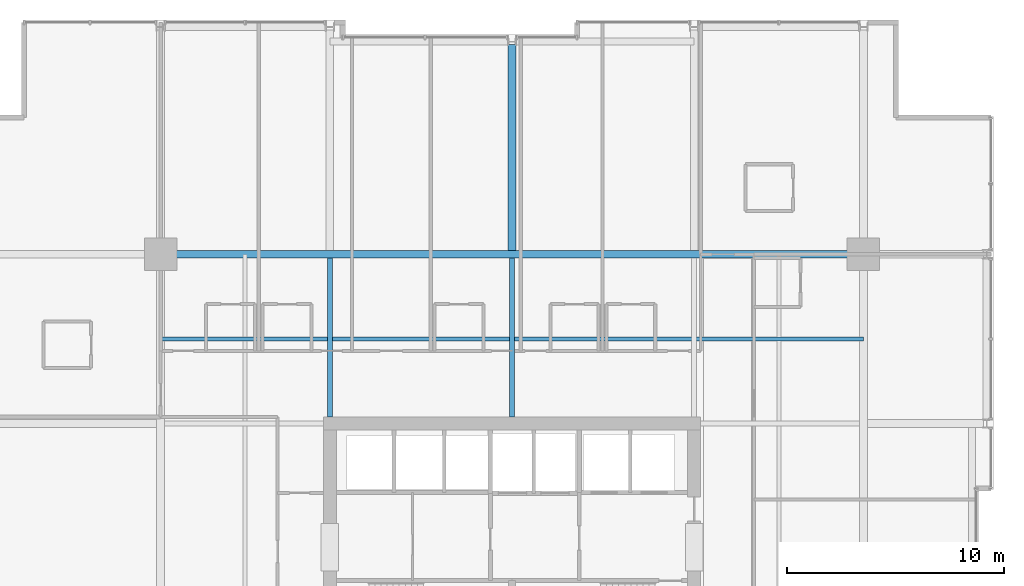
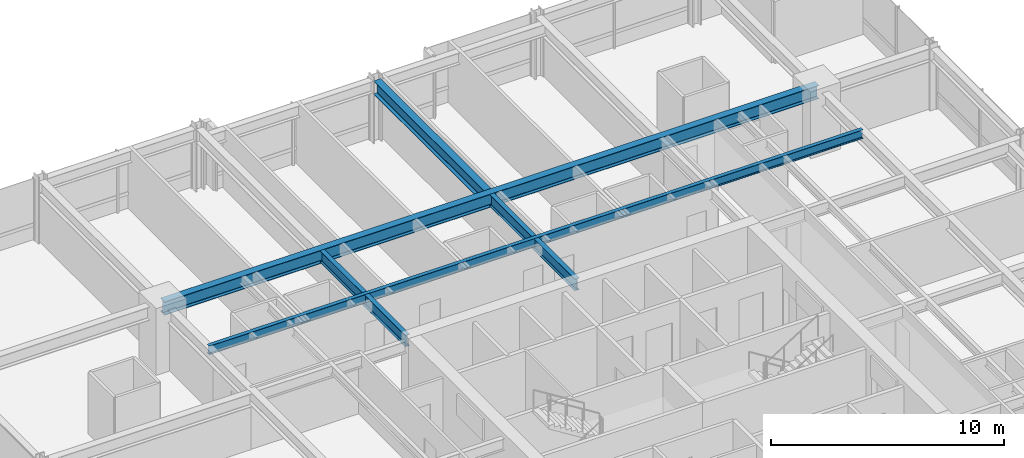
# One storey, part 19 of 34: 5 beams.
"""IFC4 building model written with IfcOpenShell, lengths in metres."""

from ifc_helpers import new_model, si_unit, direction, frame, origin, origin_2d, place, context, subcontext, project, spatial, i_section, extrude, material, material_profile, profile_set, type_object, element, save


model = new_model("IFC4")

# Units and contexts
model_context = context("Model", 3, precision=1e-05, world=origin(), true_north=direction((0.0, 1.0)))
body_context = subcontext(model_context, "Body", "Model", "MODEL_VIEW")
ifc_project = project(units=[si_unit("LENGTHUNIT", "METRE"), si_unit("AREAUNIT", "SQUARE_METRE"), si_unit("VOLUMEUNIT", "CUBIC_METRE"), si_unit("PLANEANGLEUNIT", "RADIAN"), si_unit("MASSUNIT", "GRAM", prefix="KILO")], contexts=[model_context])

# Site, building, storey
site_placement = place(None, origin())
site = spatial("IfcSite", under=ifc_project, at=site_placement, CompositionType="ELEMENT")
building_placement = place(site_placement, origin())
building = spatial("IfcBuilding", under=site, at=building_placement, Name="Drelvath Grand Hotel", CompositionType="ELEMENT")
storey_placement = place(building_placement, frame((0.0, 0.0, 133.800048828125)))
storey = spatial("IfcBuildingStorey", under=building, at=storey_placement, Name="L34", CompositionType="ELEMENT", Elevation=133.800048828125)

# Beams
ifc_material = material(Name="Steel ASTM A992 Gr 50", Category="steel")
ifc_material_profile_1 = material_profile(ifc_material, i_section(OverallWidth=0.19140625, OverallDepth=0.4599609375, WebThickness=0.010009765625, FlangeThickness=0.01611328125, FilletRadius=0.01611328125, at=origin_2d()), Name="W18X55")
ifc_profile_set_1 = profile_set([ifc_material_profile_1], Name="Steel ASTM A992 Gr 50")
beam_type_1 = type_object("IfcBeamType", Name="Composite Floor Joist W18X55", PredefinedType="JOIST", material=ifc_profile_set_1)
beam_1_placement = place(storey_placement, frame((-16.199951171875, 39.300048828125, 3.010009765625), z_axis=(1.0, 0.0, 0.0), x_axis=(0.0, 1.0, 0.0)))
element("IfcBeam", 1, at=beam_1_placement, inside=storey, type_object=beam_type_1, Name="L34 Floor Joist J2", PredefinedType="JOIST", context=body_context, shape_type="SweptSolid", body=[
    extrude(i_section(OverallWidth=0.19140625, OverallDepth=0.4599609375, WebThickness=0.010009765625, FlangeThickness=0.01611328125, FilletRadius=0.01611328125, at=origin_2d()), origin(), (0.0, 0.0, 1.0), 32.39990234375),
])
ifc_material_profile_2 = material_profile(ifc_material, i_section(OverallWidth=0.228271484375, OverallDepth=0.607666015625, WebThickness=0.01123046875, FlangeThickness=0.017333984375, FilletRadius=0.02001953125, at=origin_2d()), Name="W24X76")
ifc_profile_set_2 = profile_set([ifc_material_profile_2], Name="Steel ASTM A992 Gr 50")
beam_type_2 = type_object("IfcBeamType", Name="Primary Floor Girder W24X76", PredefinedType="BEAM", material=ifc_profile_set_2)
for number, where, z_axis, x_axis, name in (
    (2, (-8.39990234375, 35.699951171875, 2.93603515625), (0.0, 1.0, 0.0), (-1.0, 0.0, 0.0), "L34 North Core Tie 4"),
    (3, (0.0, 35.699951171875, 2.93603515625), (0.0, 1.0, 0.0), (-1.0, 0.0, 0.0), "L34 North Core Tie 5"),
):
    element("IfcBeam", number, at=place(storey_placement, frame(where, z_axis=z_axis, x_axis=x_axis)), inside=storey, type_object=beam_type_2, Name=name, PredefinedType="BEAM", context=body_context, shape_type="SweptSolid", body=[
        extrude(i_section(OverallWidth=0.228271484375, OverallDepth=0.607666015625, WebThickness=0.01123046875, FlangeThickness=0.017333984375, FilletRadius=0.02001953125, at=origin_2d()), origin(), (0.0, 0.0, 1.0), 7.32275390625),
    ])
ifc_material_profile_3 = material_profile(ifc_material, i_section(OverallWidth=0.354736328125, OverallDepth=0.695556640625, WebThickness=0.015380859375, FlangeThickness=0.025146484375, FilletRadius=0.02392578125, at=origin_2d()), Name="W27X146")
ifc_profile_set_3 = profile_set([ifc_material_profile_3], Name="Steel ASTM A992 Gr 50")
beam_type_3 = type_object("IfcBeamType", Name="Primary Floor Girder W27X146", PredefinedType="BEAM", material=ifc_profile_set_3)
beam_2_placement = place(storey_placement, frame((-16.199951171875, 43.199951171875, 2.892333984375), z_axis=(1.0, 0.0, 0.0), x_axis=(0.0, 1.0, 0.0)))
element("IfcBeam", 4, at=beam_2_placement, inside=storey, type_object=beam_type_3, Name="L34 Mega Ring Girder North", PredefinedType="BEAM", context=body_context, shape_type="SweptSolid", body=[
    extrude(i_section(OverallWidth=0.354736328125, OverallDepth=0.695556640625, WebThickness=0.015380859375, FlangeThickness=0.025146484375, FilletRadius=0.02392578125, at=origin_2d()), origin(), (0.0, 0.0, 1.0), 32.39990234375),
])
beam_3_placement = place(storey_placement, frame((0.0, 43.37744140625, 2.892333984375), z_axis=(0.0, 1.0, 0.0), x_axis=(-1.0, 0.0, 0.0)))
element("IfcBeam", 5, at=beam_3_placement, inside=storey, type_object=beam_type_3, Name="L34 North Wing Girder 5", PredefinedType="BEAM", context=body_context, shape_type="SweptSolid", body=[
    extrude(i_section(OverallWidth=0.354736328125, OverallDepth=0.695556640625, WebThickness=0.015380859375, FlangeThickness=0.025146484375, FilletRadius=0.02392578125, at=origin_2d()), origin(), (0.0, 0.0, 1.0), 9.482666015625),
])

save(model, "model.ifc")
